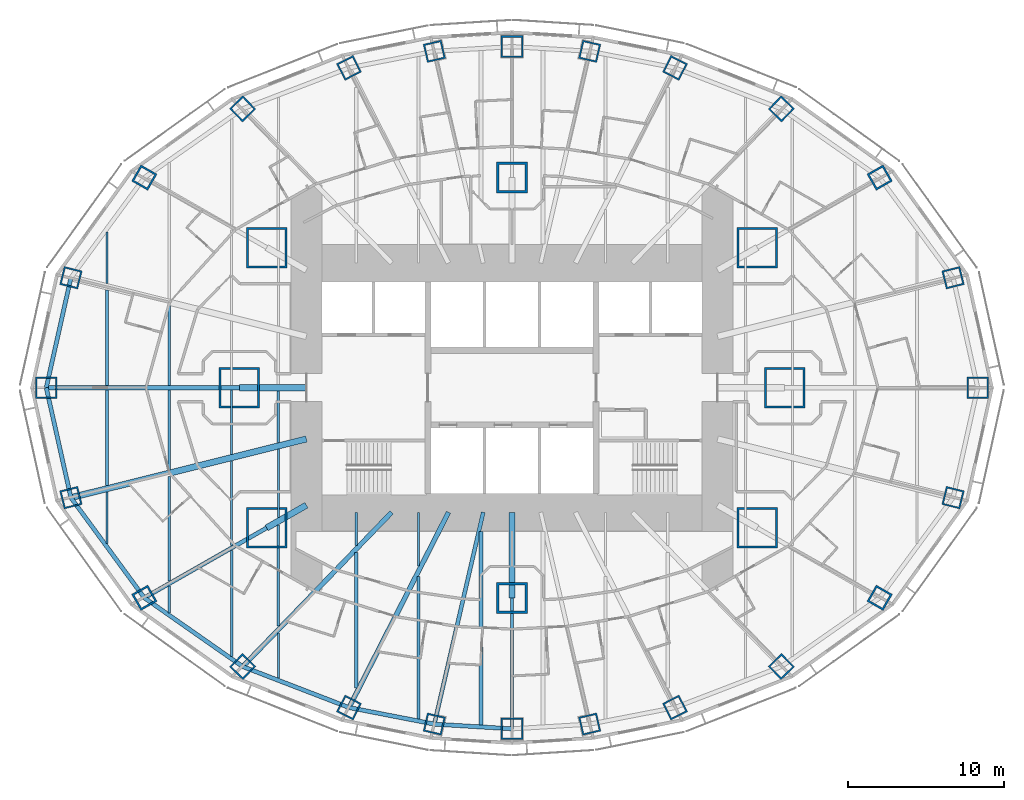
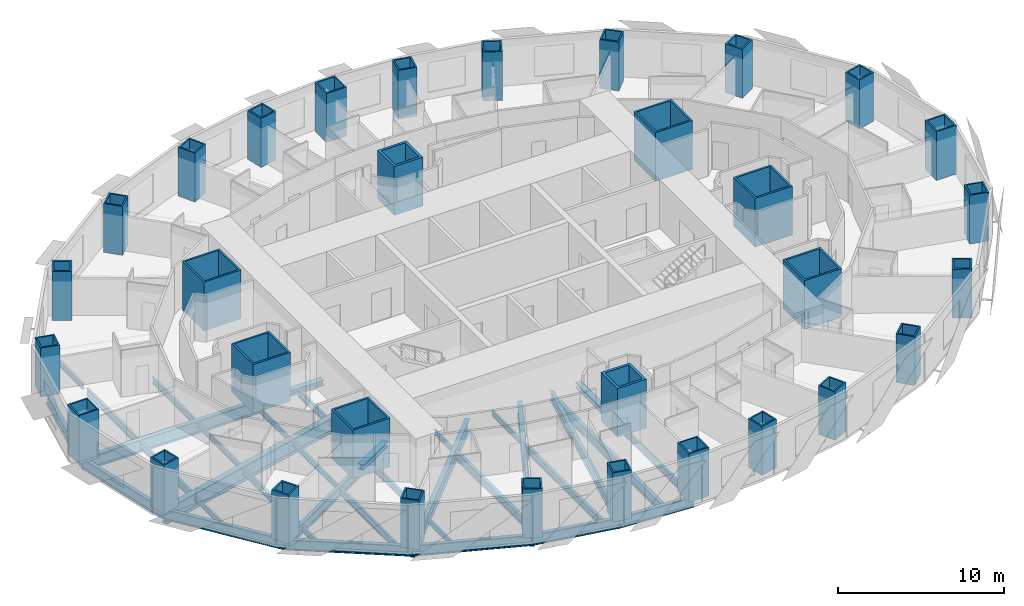
# One storey, part 1 of 17: 37 beams, 32 columns.
"""IFC4 building model written with IfcOpenShell, lengths in metres."""

from ifc_helpers import new_model, si_unit, direction, frame, origin, origin_2d, place, context, subcontext, project, spatial, rectangle, hollow_rectangle, i_section, extrude, material, material_profile, profile_set, type_object, element, save


model = new_model("IFC4")

# Units and contexts
model_context = context("Model", 3, precision=1e-05, world=origin(), true_north=direction((0.0, 1.0)))
body_context = subcontext(model_context, "Body", "Model", "MODEL_VIEW")
ifc_project = project(units=[si_unit("LENGTHUNIT", "METRE"), si_unit("AREAUNIT", "SQUARE_METRE"), si_unit("VOLUMEUNIT", "CUBIC_METRE"), si_unit("PLANEANGLEUNIT", "RADIAN"), si_unit("MASSUNIT", "GRAM", prefix="KILO")], contexts=[model_context])

# Site, building, storey
site_placement = place(None, origin())
site = spatial("IfcSite", under=ifc_project, at=site_placement, CompositionType="ELEMENT")
building_placement = place(site_placement, origin())
building = spatial("IfcBuilding", under=site, at=building_placement, Name="Lantaw Convention Tower", CompositionType="ELEMENT")
storey_placement = place(building_placement, frame((0.0, 0.0, 37.0)))
storey = spatial("IfcBuildingStorey", under=building, at=storey_placement, Name="L06", CompositionType="ELEMENT", Elevation=37.0)

# Columns
ifc_material_1 = material(Name="Steel EN 10025-3 S460N", Category="steel")
ifc_material_profile_1 = material_profile(ifc_material_1, hollow_rectangle(XDim=2.0, YDim=2.0, WallThickness=0.169921875, at=origin_2d()), Name="BOX2000X170")
ifc_material_2 = material(Name="Concrete C60/75", Category="concrete")
ifc_material_profile_2 = material_profile(ifc_material_2, rectangle(XDim=1.659912109375, YDim=1.659912109375, at=origin_2d()), Name="Concrete fill of BOX2000X170")
ifc_profile_set_1 = profile_set([ifc_material_profile_1, ifc_material_profile_2], Name="Steel EN 10025-3 S460N")
column_type_1 = type_object("IfcColumnType", Name="Column MC BOX2000X170", PredefinedType="COLUMN", material=ifc_profile_set_1)
for number, where, z_axis, x_axis, name in (
    (1, (0.0, 13.5, 0.0), (0.0, 0.0, 1.0), (1.0, 0.0, 0.0), "Mega column M3"),
    (2, (0.0, -13.5, 0.0), (0.0, 0.0, 1.0), (1.0, 0.0, 0.0), "Mega column M7"),
):
    element("IfcColumn", number, at=place(storey_placement, frame(where, z_axis=z_axis, x_axis=x_axis)), inside=storey, type_object=column_type_1, Name=name, PredefinedType="COLUMN", context=body_context, shape_type="SweptSolid", body=[
        extrude(hollow_rectangle(XDim=2.0, YDim=2.0, WallThickness=0.169921875, at=origin_2d()), origin(), (0.0, 0.0, 1.0), 3.60009765625),
    ])
ifc_material_profile_3 = material_profile(ifc_material_1, hollow_rectangle(XDim=2.60009765625, YDim=2.60009765625, WallThickness=0.1298828125, at=origin_2d()), Name="BOX2600X130")
ifc_material_profile_4 = material_profile(ifc_material_2, rectangle(XDim=2.340087890625, YDim=2.340087890625, at=origin_2d()), Name="Concrete fill of BOX2600X130")
ifc_profile_set_2 = profile_set([ifc_material_profile_3, ifc_material_profile_4], Name="Steel EN 10025-3 S460N")
column_type_2 = type_object("IfcColumnType", Name="Column MC BOX2600X130", PredefinedType="COLUMN", material=ifc_profile_set_2)
for number, where, z_axis, x_axis, name in (
    (3, (17.5, 0.0, 0.0), (0.0, 0.0, 1.0), (1.0, 0.0, 0.0), "Mega column M1"),
    (4, (15.75, 9.0, 0.0), (0.0, 0.0, 1.0), (1.0, 0.0, 0.0), "Mega column M2"),
    (5, (-15.75, 9.0, 0.0), (0.0, 0.0, 1.0), (1.0, 0.0, 0.0), "Mega column M4"),
    (6, (-17.5, 0.0, 0.0), (0.0, 0.0, 1.0), (1.0, 0.0, 0.0), "Mega column M5"),
    (7, (-15.75, -9.0, 0.0), (0.0, 0.0, 1.0), (1.0, 0.0, 0.0), "Mega column M6"),
    (8, (15.75, -9.0, 0.0), (0.0, 0.0, 1.0), (1.0, 0.0, 0.0), "Mega column M8"),
):
    element("IfcColumn", number, at=place(storey_placement, frame(where, z_axis=z_axis, x_axis=x_axis)), inside=storey, type_object=column_type_2, Name=name, PredefinedType="COLUMN", context=body_context, shape_type="SweptSolid", body=[
        extrude(hollow_rectangle(XDim=2.60009765625, YDim=2.60009765625, WallThickness=0.1298828125, at=origin_2d()), origin(), (0.0, 0.0, 1.0), 3.60009765625),
    ])
ifc_material_profile_5 = material_profile(ifc_material_1, hollow_rectangle(XDim=1.199951171875, YDim=1.199951171875, WallThickness=0.10009765625, at=origin_2d()), Name="BOX1200X100")
ifc_material_profile_6 = material_profile(ifc_material_2, rectangle(XDim=1.0, YDim=1.0, at=origin_2d()), Name="Concrete fill of BOX1200X100")
ifc_profile_set_3 = profile_set([ifc_material_profile_5, ifc_material_profile_6], Name="Steel EN 10025-3 S460N")
column_type_3 = type_object("IfcColumnType", Name="Column PC BOX1200X100", PredefinedType="COLUMN", material=ifc_profile_set_3)
for number, where, z_axis, x_axis, name in (
    (9, (28.31787109375, 7.060302734375, 0.0), (0.0, 0.0, 1.0), (0.970295726276, 0.2419218956, 0.0), "Perimeter column P2"),
    (10, (17.290771484375, 17.9052734375, 0.0), (0.0, 0.0, 1.0), (0.694658370459, 0.719339800339, 0.0), "Perimeter column P4"),
    (11, (10.462646484375, 20.533935546875, 0.0), (0.0, 0.0, 1.0), (0.45399049974, 0.891006524188, 0.0), "Perimeter column P5"),
    (12, (4.986328125, 21.59814453125, 0.0), (0.0, 0.0, 1.0), (0.224951054344, 0.974370064785, 0.0), "Perimeter column P6"),
    (13, (-4.986328125, 21.59814453125, 0.0), (0.0, 0.0, 1.0), (0.974370064785, 0.224951054344, 0.0), "Perimeter column P8"),
    (14, (-10.462646484375, 20.533935546875, 0.0), (0.0, 0.0, 1.0), (0.891006524188, 0.45399049974, 0.0), "Perimeter column P9"),
    (15, (-17.290771484375, 17.9052734375, 0.0), (0.0, 0.0, 1.0), (0.719339800339, 0.694658370459, 0.0), "Perimeter column P10"),
    (16, (-28.31787109375, 7.060302734375, 0.0), (0.0, 0.0, 1.0), (0.2419218956, 0.970295726276, 0.0), "Perimeter column P12"),
    (17, (-28.31787109375, -7.060302734375, 0.0), (0.0, 0.0, 1.0), (0.970295726276, 0.2419218956, 0.0), "Perimeter column P14"),
    (18, (-17.290771484375, -17.9052734375, 0.0), (0.0, 0.0, 1.0), (0.694658370459, 0.719339800339, 0.0), "Perimeter column P16"),
    (19, (-10.462646484375, -20.533935546875, 0.0), (0.0, 0.0, 1.0), (0.45399049974, 0.891006524188, 0.0), "Perimeter column P17"),
    (20, (-4.986328125, -21.59814453125, 0.0), (0.0, 0.0, 1.0), (0.224951054344, 0.974370064785, 0.0), "Perimeter column P18"),
    (21, (4.986328125, -21.59814453125, 0.0), (0.0, 0.0, 1.0), (0.974370064785, 0.224951054344, 0.0), "Perimeter column P20"),
    (22, (10.462646484375, -20.533935546875, 0.0), (0.0, 0.0, 1.0), (0.891006524188, 0.45399049974, 0.0), "Perimeter column P21"),
    (23, (17.290771484375, -17.9052734375, 0.0), (0.0, 0.0, 1.0), (0.719339800339, 0.694658370459, 0.0), "Perimeter column P22"),
    (24, (28.31787109375, -7.060302734375, 0.0), (0.0, 0.0, 1.0), (0.2419218956, 0.970295726276, 0.0), "Perimeter column P24"),
):
    element("IfcColumn", number, at=place(storey_placement, frame(where, z_axis=z_axis, x_axis=x_axis)), inside=storey, type_object=column_type_3, Name=name, PredefinedType="COLUMN", context=body_context, shape_type="SweptSolid", body=[
        extrude(hollow_rectangle(XDim=1.199951171875, YDim=1.199951171875, WallThickness=0.10009765625, at=origin_2d()), origin(), (0.0, 0.0, 1.0), 3.60009765625),
    ])
ifc_material_profile_7 = material_profile(ifc_material_1, hollow_rectangle(XDim=1.199951171875, YDim=1.199951171875, WallThickness=0.1201171875, at=origin_2d()), Name="BOX1200X120")
ifc_material_profile_8 = material_profile(ifc_material_2, rectangle(XDim=0.9599609375, YDim=0.9599609375, at=origin_2d()), Name="Concrete fill of BOX1200X120")
ifc_profile_set_4 = profile_set([ifc_material_profile_7, ifc_material_profile_8], Name="Steel EN 10025-3 S460N")
column_type_4 = type_object("IfcColumnType", Name="Column PC BOX1200X120", PredefinedType="COLUMN", material=ifc_profile_set_4)
for number, where, z_axis, x_axis, name in (
    (25, (23.60498046875, 13.488525390625, 0.0), (0.0, 0.0, 1.0), (0.86824298017, 0.496139221777, 0.0), "Perimeter column P3"),
    (26, (-23.60498046875, 13.488525390625, 0.0), (0.0, 0.0, 1.0), (0.496139221777, 0.86824298017, 0.0), "Perimeter column P11"),
    (27, (-23.60498046875, -13.488525390625, 0.0), (0.0, 0.0, 1.0), (0.86824298017, 0.496139221777, 0.0), "Perimeter column P15"),
    (28, (23.60498046875, -13.488525390625, 0.0), (0.0, 0.0, 1.0), (0.496139221777, 0.86824298017, 0.0), "Perimeter column P23"),
):
    element("IfcColumn", number, at=place(storey_placement, frame(where, z_axis=z_axis, x_axis=x_axis)), inside=storey, type_object=column_type_4, Name=name, PredefinedType="COLUMN", context=body_context, shape_type="SweptSolid", body=[
        extrude(hollow_rectangle(XDim=1.199951171875, YDim=1.199951171875, WallThickness=0.1201171875, at=origin_2d()), origin(), (0.0, 0.0, 1.0), 3.60009765625),
    ])
ifc_material_profile_9 = material_profile(ifc_material_1, hollow_rectangle(XDim=1.39990234375, YDim=1.39990234375, WallThickness=0.10009765625, at=origin_2d()), Name="BOX1400X100")
ifc_material_profile_10 = material_profile(ifc_material_2, rectangle(XDim=1.199951171875, YDim=1.199951171875, at=origin_2d()), Name="Concrete fill of BOX1400X100")
ifc_profile_set_5 = profile_set([ifc_material_profile_9, ifc_material_profile_10], Name="Steel EN 10025-3 S460N")
column_type_5 = type_object("IfcColumnType", Name="Column PC BOX1400X100", PredefinedType="COLUMN", material=ifc_profile_set_5)
for number, where, z_axis, x_axis, name in (
    (29, (29.89990234375, 0.0, 0.0), (0.0, 0.0, 1.0), (1.0, 0.0, 0.0), "Perimeter column P1"),
    (30, (0.0, 21.89990234375, 0.0), (0.0, 0.0, 1.0), (1.0, 0.0, 0.0), "Perimeter column P7"),
    (31, (-29.89990234375, 0.0, 0.0), (0.0, 0.0, 1.0), (1.0, 0.0, 0.0), "Perimeter column P13"),
    (32, (0.0, -21.89990234375, 0.0), (0.0, 0.0, 1.0), (1.0, 0.0, 0.0), "Perimeter column P19"),
):
    element("IfcColumn", number, at=place(storey_placement, frame(where, z_axis=z_axis, x_axis=x_axis)), inside=storey, type_object=column_type_5, Name=name, PredefinedType="COLUMN", context=body_context, shape_type="SweptSolid", body=[
        extrude(hollow_rectangle(XDim=1.39990234375, YDim=1.39990234375, WallThickness=0.10009765625, at=origin_2d()), origin(), (0.0, 0.0, 1.0), 3.60009765625),
    ])

# Beams
ifc_material_3 = material(Name="Steel ASTM A992", Category="steel")
ifc_material_profile_11 = material_profile(ifc_material_3, i_section(OverallWidth=0.2666015625, OverallDepth=0.76953125, WebThickness=0.015625, FlangeThickness=0.025390625, FilletRadius=0.0126953125, at=origin_2d()), Name="W30X132")
ifc_profile_set_6 = profile_set([ifc_material_profile_11], Name="Steel ASTM A992")
beam_type_1 = type_object("IfcBeamType", Name="Beam E W30X132", PredefinedType="SPANDREL", material=ifc_profile_set_6)
for number, where, z_axis, x_axis, name in (
    (33, (-28.31787109375, 7.060302734375, -0.534912109375), (-0.218652184873, -0.975802860239, 0.0), (0.975802860239, -0.218652184873, 0.0), "Edge beam 12"),
    (34, (-29.89990234375, 0.0, -0.534912109375), (0.218652184873, -0.975802860239, 0.0), (0.975802860239, 0.218652184873, 0.0), "Edge beam 13"),
):
    element("IfcBeam", number, at=place(storey_placement, frame(where, z_axis=z_axis, x_axis=x_axis)), inside=storey, type_object=beam_type_1, Name=name, PredefinedType="SPANDREL", context=body_context, shape_type="SweptSolid", body=[
        extrude(i_section(OverallWidth=0.2666015625, OverallDepth=0.76953125, WebThickness=0.015625, FlangeThickness=0.025390625, FilletRadius=0.0126953125, at=origin_2d()), origin(), (0.0, 0.0, 1.0), 7.2353515625),
    ])
beam_1_placement = place(storey_placement, frame((-28.31787109375, -7.060302734375, -0.534912109375), z_axis=(0.591270709086, -0.806473154281, 0.0), x_axis=(0.806473154281, 0.591270709086, 0.0)))
element("IfcBeam", 35, at=beam_1_placement, inside=storey, type_object=beam_type_1, Name="Edge beam 14", PredefinedType="SPANDREL", context=body_context, shape_type="SweptSolid", body=[
    extrude(i_section(OverallWidth=0.2666015625, OverallDepth=0.76953125, WebThickness=0.015625, FlangeThickness=0.025390625, FilletRadius=0.0126953125, at=origin_2d()), origin(), (0.0, 0.0, 1.0), 7.970703125),
])
beam_2_placement = place(storey_placement, frame((-23.60498046875, -13.488525390625, -0.534912109375), z_axis=(0.81942686407, -0.57318375277, 0.0), x_axis=(0.57318375277, 0.81942686407, 0.0)))
element("IfcBeam", 36, at=beam_2_placement, inside=storey, type_object=beam_type_1, Name="Edge beam 15", PredefinedType="SPANDREL", context=body_context, shape_type="SweptSolid", body=[
    extrude(i_section(OverallWidth=0.2666015625, OverallDepth=0.76953125, WebThickness=0.015625, FlangeThickness=0.025390625, FilletRadius=0.0126953125, at=origin_2d()), origin(), (0.0, 0.0, 1.0), 7.70556640625),
])
beam_3_placement = place(storey_placement, frame((-17.290771484375, -17.9052734375, -0.534912109375), z_axis=(0.933232900641, -0.359271976588, 0.0), x_axis=(0.359271976588, 0.933232900641, 0.0)))
element("IfcBeam", 37, at=beam_3_placement, inside=storey, type_object=beam_type_1, Name="Edge beam 16", PredefinedType="SPANDREL", context=body_context, shape_type="SweptSolid", body=[
    extrude(i_section(OverallWidth=0.2666015625, OverallDepth=0.76953125, WebThickness=0.015625, FlangeThickness=0.025390625, FilletRadius=0.0126953125, at=origin_2d()), origin(), (0.0, 0.0, 1.0), 7.316650390625),
])
beam_4_placement = place(storey_placement, frame((-10.462646484375, -20.533935546875, -0.534912109375), z_axis=(0.981636565323, -0.190760723474, 0.0), x_axis=(0.190760723474, 0.981636565323, 0.0)))
element("IfcBeam", 38, at=beam_4_placement, inside=storey, type_object=beam_type_1, Name="Edge beam 17", PredefinedType="SPANDREL", context=body_context, shape_type="SweptSolid", body=[
    extrude(i_section(OverallWidth=0.2666015625, OverallDepth=0.76953125, WebThickness=0.015625, FlangeThickness=0.025390625, FilletRadius=0.0126953125, at=origin_2d()), origin(), (0.0, 0.0, 1.0), 5.578857421875),
])
beam_5_placement = place(storey_placement, frame((-4.986328125, -21.59814453125, -0.534912109375), z_axis=(0.998173858406, -0.060406526096, 0.0), x_axis=(0.060406526096, 0.998173858406, 0.0)))
element("IfcBeam", 39, at=beam_5_placement, inside=storey, type_object=beam_type_1, Name="Edge beam 18", PredefinedType="SPANDREL", context=body_context, shape_type="SweptSolid", body=[
    extrude(i_section(OverallWidth=0.2666015625, OverallDepth=0.76953125, WebThickness=0.015625, FlangeThickness=0.025390625, FilletRadius=0.0126953125, at=origin_2d()), origin(), (0.0, 0.0, 1.0), 4.995361328125),
])
ifc_material_profile_12 = material_profile(ifc_material_3, i_section(OverallWidth=0.1650390625, OverallDepth=0.52587890625, WebThickness=0.0087890625, FlangeThickness=0.011474609375, FilletRadius=0.0126953125, at=origin_2d()), Name="W21X44")
ifc_profile_set_7 = profile_set([ifc_material_profile_12], Name="Steel ASTM A992")
beam_type_2 = type_object("IfcBeamType", Name="Beam G W21X44", PredefinedType="BEAM", material=ifc_profile_set_7)
beam_6_placement = place(storey_placement, frame((0.0, -13.5, -0.412841796875), z_axis=(0.0, -1.0, 0.0), x_axis=(1.0, 0.0, 0.0)))
element("IfcBeam", 40, at=beam_6_placement, inside=storey, type_object=beam_type_2, Name="Floor girder on ray 19", PredefinedType="BEAM", context=body_context, shape_type="SweptSolid", body=[
    extrude(i_section(OverallWidth=0.1650390625, OverallDepth=0.52587890625, WebThickness=0.0087890625, FlangeThickness=0.011474609375, FilletRadius=0.0126953125, at=origin_2d()), origin(), (0.0, 0.0, 1.0), 8.39990234375),
])
ifc_material_profile_13 = material_profile(ifc_material_3, i_section(OverallWidth=0.25390625, OverallDepth=0.683349609375, WebThickness=0.012451171875, FlangeThickness=0.01904296875, FilletRadius=0.01513671875, at=origin_2d()), Name="W27X94")
ifc_profile_set_8 = profile_set([ifc_material_profile_13], Name="Steel ASTM A992")
beam_type_3 = type_object("IfcBeamType", Name="Beam G W27X94", PredefinedType="BEAM", material=ifc_profile_set_8)
beam_7_placement = place(storey_placement, frame((-1.846923828125, -8.0, -0.49169921875), z_axis=(-0.224952773175, -0.97436966796, 0.0), x_axis=(0.97436966796, -0.224952773175, 0.0)))
element("IfcBeam", 41, at=beam_7_placement, inside=storey, type_object=beam_type_3, Name="Floor girder on ray 18", PredefinedType="BEAM", context=body_context, shape_type="SweptSolid", body=[
    extrude(i_section(OverallWidth=0.25390625, OverallDepth=0.683349609375, WebThickness=0.012451171875, FlangeThickness=0.01904296875, FilletRadius=0.01513671875, at=origin_2d()), origin(), (0.0, 0.0, 1.0), 13.955810546875),
])
ifc_material_profile_14 = material_profile(ifc_material_3, i_section(OverallWidth=0.2666015625, OverallDepth=0.7568359375, WebThickness=0.013916015625, FlangeThickness=0.019287109375, FilletRadius=0.0126953125, at=origin_2d()), Name="W30X108")
ifc_profile_set_9 = profile_set([ifc_material_profile_14], Name="Steel ASTM A992")
beam_type_4 = type_object("IfcBeamType", Name="Beam G W30X108", PredefinedType="BEAM", material=ifc_profile_set_9)
beam_8_placement = place(storey_placement, frame((-15.75, -9.0, -0.528564453125), z_axis=(-0.868244802791, -0.496136032179, 0.0), x_axis=(0.496136032179, -0.868244802791, 0.0)))
element("IfcBeam", 42, at=beam_8_placement, inside=storey, type_object=beam_type_4, Name="Floor girder on ray 15", PredefinedType="BEAM", context=body_context, shape_type="SweptSolid", body=[
    extrude(i_section(OverallWidth=0.2666015625, OverallDepth=0.7568359375, WebThickness=0.013916015625, FlangeThickness=0.019287109375, FilletRadius=0.0126953125, at=origin_2d()), origin(), (0.0, 0.0, 1.0), 9.046875),
])
ifc_material_profile_15 = material_profile(ifc_material_3, i_section(OverallWidth=0.307373046875, OverallDepth=0.922119140625, WebThickness=0.018310546875, FlangeThickness=0.030029296875, FilletRadius=0.0126953125, at=origin_2d()), Name="W36X182")
ifc_profile_set_10 = profile_set([ifc_material_profile_15], Name="Steel ASTM A992")
beam_type_5 = type_object("IfcBeamType", Name="Beam G W36X182", PredefinedType="BEAM", material=ifc_profile_set_10)
beam_9_placement = place(storey_placement, frame((-17.5, 0.0, -0.611083984375), z_axis=(-1.0, 0.0, 0.0), x_axis=(0.0, -1.0, 0.0)))
element("IfcBeam", 43, at=beam_9_placement, inside=storey, type_object=beam_type_5, Name="Floor girder on ray 13", PredefinedType="BEAM", context=body_context, shape_type="SweptSolid", body=[
    extrude(i_section(OverallWidth=0.307373046875, OverallDepth=0.922119140625, WebThickness=0.018310546875, FlangeThickness=0.030029296875, FilletRadius=0.0126953125, at=origin_2d()), origin(), (0.0, 0.0, 1.0), 12.39990234375),
])
beam_10_placement = place(storey_placement, frame((-7.7255859375, -8.0, -0.611083984375), z_axis=(-0.694649884291, -0.719347995239, 0.0), x_axis=(0.719347995239, -0.694649884291, 0.0)))
element("IfcBeam", 44, at=beam_10_placement, inside=storey, type_object=beam_type_5, Name="Floor girder on ray 16", PredefinedType="BEAM", context=body_context, shape_type="SweptSolid", body=[
    extrude(i_section(OverallWidth=0.307373046875, OverallDepth=0.922119140625, WebThickness=0.018310546875, FlangeThickness=0.030029296875, FilletRadius=0.0126953125, at=origin_2d()), origin(), (0.0, 0.0, 1.0), 13.769775390625),
])
beam_11_placement = place(storey_placement, frame((-4.076171875, -8.0, -0.611083984375), z_axis=(-0.453997016122, -0.891003203896, 0.0), x_axis=(0.891003203896, -0.453997016122, 0.0)))
element("IfcBeam", 45, at=beam_11_placement, inside=storey, type_object=beam_type_5, Name="Floor girder on ray 17", PredefinedType="BEAM", context=body_context, shape_type="SweptSolid", body=[
    extrude(i_section(OverallWidth=0.307373046875, OverallDepth=0.922119140625, WebThickness=0.018310546875, FlangeThickness=0.030029296875, FilletRadius=0.0126953125, at=origin_2d()), origin(), (0.0, 0.0, 1.0), 14.067138671875),
])
ifc_material_profile_16 = material_profile(ifc_material_3, i_section(OverallWidth=0.40380859375, OverallDepth=1.11767578125, WebThickness=0.026123046875, FlangeThickness=0.044921875, FilletRadius=0.02001953125, at=origin_2d()), Name="W44X335")
ifc_profile_set_11 = profile_set([ifc_material_profile_16], Name="Steel ASTM A992")
beam_type_6 = type_object("IfcBeamType", Name="Beam G W44X335", PredefinedType="BEAM", material=ifc_profile_set_11)
beam_12_placement = place(storey_placement, frame((-13.199951171875, -3.291015625, -0.708740234375), z_axis=(-0.970296233567, -0.241919860957, 0.0), x_axis=(0.241919860957, -0.970296233567, 0.0)))
element("IfcBeam", 46, at=beam_12_placement, inside=storey, type_object=beam_type_6, Name="Floor girder on ray 14", PredefinedType="BEAM", context=body_context, shape_type="SweptSolid", body=[
    extrude(i_section(OverallWidth=0.40380859375, OverallDepth=1.11767578125, WebThickness=0.026123046875, FlangeThickness=0.044921875, FilletRadius=0.02001953125, at=origin_2d()), origin(), (0.0, 0.0, 1.0), 15.580810546875),
])
ifc_material_profile_17 = material_profile(ifc_material_3, i_section(OverallWidth=0.40380859375, OverallDepth=0.406494140625, WebThickness=0.027099609375, FlangeThickness=0.043701171875, FilletRadius=0.01513671875, at=origin_2d()), Name="W14X233")
ifc_profile_set_12 = profile_set([ifc_material_profile_17], Name="Steel ASTM A992")
beam_type_7 = type_object("IfcBeamType", Name="Beam GM W14X233", PredefinedType="BEAM", material=ifc_profile_set_12)
beam_13_placement = place(storey_placement, frame((-13.199951171875, 0.0, -0.353271484375), z_axis=(-1.0, 0.0, 0.0), x_axis=(0.0, -1.0, 0.0)))
element("IfcBeam", 47, at=beam_13_placement, inside=storey, type_object=beam_type_7, Name="Core link beam on ray 13", PredefinedType="BEAM", context=body_context, shape_type="SweptSolid", body=[
    extrude(i_section(OverallWidth=0.40380859375, OverallDepth=0.406494140625, WebThickness=0.027099609375, FlangeThickness=0.043701171875, FilletRadius=0.01513671875, at=origin_2d()), origin(), (0.0, 0.0, 1.0), 4.300048828125),
])
beam_14_placement = place(storey_placement, frame((-13.199951171875, -7.54296875, -0.353271484375), z_axis=(-0.868263603466, -0.496103129295, 0.0), x_axis=(0.496103129295, -0.868263603466, 0.0)))
element("IfcBeam", 48, at=beam_14_placement, inside=storey, type_object=beam_type_7, Name="Core link beam on ray 15", PredefinedType="BEAM", context=body_context, shape_type="SweptSolid", body=[
    extrude(i_section(OverallWidth=0.40380859375, OverallDepth=0.406494140625, WebThickness=0.027099609375, FlangeThickness=0.043701171875, FilletRadius=0.01513671875, at=origin_2d()), origin(), (0.0, 0.0, 1.0), 2.93701171875),
])
beam_15_placement = place(storey_placement, frame((0.0, -8.0, -0.353271484375), z_axis=(0.0, -1.0, 0.0), x_axis=(1.0, 0.0, 0.0)))
element("IfcBeam", 49, at=beam_15_placement, inside=storey, type_object=beam_type_7, Name="Core link beam on ray 19", PredefinedType="BEAM", context=body_context, shape_type="SweptSolid", body=[
    extrude(i_section(OverallWidth=0.40380859375, OverallDepth=0.406494140625, WebThickness=0.027099609375, FlangeThickness=0.043701171875, FilletRadius=0.01513671875, at=origin_2d()), origin(), (0.0, 0.0, 1.0), 5.5),
])
ifc_material_profile_18 = material_profile(ifc_material_3, i_section(OverallWidth=0.140380859375, OverallDepth=0.40380859375, WebThickness=0.007080078125, FlangeThickness=0.01123046875, FilletRadius=0.01025390625, at=origin_2d()), Name="W16X31")
ifc_profile_set_13 = profile_set([ifc_material_profile_18], Name="Steel ASTM A992")
beam_type_8 = type_object("IfcBeamType", Name="Beam J W16X31", PredefinedType="JOIST", material=ifc_profile_set_13)
for number, where, z_axis, x_axis, name in (
    (50, (-26.0, -9.996337890625, -0.35205078125), (0.0, 1.0, 0.0), (-1.0, 0.0, 0.0), "Floor joist"),
    (51, (-26.0, 6.690673828125, -0.35205078125), (0.0, 1.0, 0.0), (-1.0, 0.0, 0.0), "Floor joist"),
):
    element("IfcBeam", number, at=place(storey_placement, frame(where, z_axis=z_axis, x_axis=x_axis)), inside=storey, type_object=beam_type_8, Name=name, PredefinedType="JOIST", context=body_context, shape_type="SweptSolid", body=[
        extrude(i_section(OverallWidth=0.140380859375, OverallDepth=0.40380859375, WebThickness=0.007080078125, FlangeThickness=0.01123046875, FilletRadius=0.01025390625, at=origin_2d()), origin(), (0.0, 0.0, 1.0), 3.3056640625),
    ])
beam_16_placement = place(storey_placement, frame((-22.0, -14.448486328125, -0.35205078125), z_axis=(0.0, 1.0, 0.0), x_axis=(-1.0, 0.0, 0.0)))
element("IfcBeam", 52, at=beam_16_placement, inside=storey, type_object=beam_type_8, Name="Floor joist", PredefinedType="JOIST", context=body_context, shape_type="SweptSolid", body=[
    extrude(i_section(OverallWidth=0.140380859375, OverallDepth=0.40380859375, WebThickness=0.007080078125, FlangeThickness=0.01123046875, FilletRadius=0.01025390625, at=origin_2d()), origin(), (0.0, 0.0, 1.0), 1.723388671875),
])
beam_17_placement = place(storey_placement, frame((-22.0, -5.277099609375, -0.35205078125), z_axis=(0.0, 1.0, 0.0), x_axis=(-1.0, 0.0, 0.0)))
element("IfcBeam", 53, at=beam_17_placement, inside=storey, type_object=beam_type_8, Name="Floor joist", PredefinedType="JOIST", context=body_context, shape_type="SweptSolid", body=[
    extrude(i_section(OverallWidth=0.140380859375, OverallDepth=0.40380859375, WebThickness=0.007080078125, FlangeThickness=0.01123046875, FilletRadius=0.01025390625, at=origin_2d()), origin(), (0.0, 0.0, 1.0), 5.12353515625),
])
beam_18_placement = place(storey_placement, frame((-18.0, -10.132080078125, -0.35205078125), z_axis=(0.0, 1.0, 0.0), x_axis=(-1.0, 0.0, 0.0)))
element("IfcBeam", 54, at=beam_18_placement, inside=storey, type_object=beam_type_8, Name="Floor joist", PredefinedType="JOIST", context=body_context, shape_type="SweptSolid", body=[
    extrude(i_section(OverallWidth=0.140380859375, OverallDepth=0.40380859375, WebThickness=0.007080078125, FlangeThickness=0.01123046875, FilletRadius=0.01025390625, at=origin_2d()), origin(), (0.0, 0.0, 1.0), 5.43603515625),
])
beam_19_placement = place(storey_placement, frame((-18.0, -4.27978515625, -0.35205078125), z_axis=(0.0, 1.0, 0.0), x_axis=(-1.0, 0.0, 0.0)))
element("IfcBeam", 55, at=beam_19_placement, inside=storey, type_object=beam_type_8, Name="Floor joist", PredefinedType="JOIST", context=body_context, shape_type="SweptSolid", body=[
    extrude(i_section(OverallWidth=0.140380859375, OverallDepth=0.40380859375, WebThickness=0.007080078125, FlangeThickness=0.01123046875, FilletRadius=0.01025390625, at=origin_2d()), origin(), (0.0, 0.0, 1.0), 4.126220703125),
])
beam_20_placement = place(storey_placement, frame((-15.0, -18.644287109375, -0.35205078125), z_axis=(0.0, 1.0, 0.0), x_axis=(-1.0, 0.0, 0.0)))
element("IfcBeam", 56, at=beam_20_placement, inside=storey, type_object=beam_type_8, Name="Floor joist", PredefinedType="JOIST", context=body_context, shape_type="SweptSolid", body=[
    extrude(i_section(OverallWidth=0.140380859375, OverallDepth=0.40380859375, WebThickness=0.007080078125, FlangeThickness=0.01123046875, FilletRadius=0.01025390625, at=origin_2d()), origin(), (0.0, 0.0, 1.0), 2.89013671875),
])
beam_21_placement = place(storey_placement, frame((-15.0, -8.3388671875, -0.35205078125), z_axis=(0.0, 1.0, 0.0), x_axis=(-1.0, 0.0, 0.0)))
element("IfcBeam", 57, at=beam_21_placement, inside=storey, type_object=beam_type_8, Name="Floor joist", PredefinedType="JOIST", context=body_context, shape_type="SweptSolid", body=[
    extrude(i_section(OverallWidth=0.140380859375, OverallDepth=0.40380859375, WebThickness=0.007080078125, FlangeThickness=0.01123046875, FilletRadius=0.01025390625, at=origin_2d()), origin(), (0.0, 0.0, 1.0), 4.390869140625),
])
beam_22_placement = place(storey_placement, frame((-10.0, -10.134033203125, -0.35205078125), z_axis=(0.0, 1.0, 0.0), x_axis=(-1.0, 0.0, 0.0)))
element("IfcBeam", 58, at=beam_22_placement, inside=storey, type_object=beam_type_8, Name="Floor joist", PredefinedType="JOIST", context=body_context, shape_type="SweptSolid", body=[
    extrude(i_section(OverallWidth=0.140380859375, OverallDepth=0.40380859375, WebThickness=0.007080078125, FlangeThickness=0.01123046875, FilletRadius=0.01025390625, at=origin_2d()), origin(), (0.0, 0.0, 1.0), 2.134033203125),
])
beam_23_placement = place(storey_placement, frame((-6.0, -11.437255859375, -0.35205078125), z_axis=(0.0, 1.0, 0.0), x_axis=(-1.0, 0.0, 0.0)))
element("IfcBeam", 59, at=beam_23_placement, inside=storey, type_object=beam_type_8, Name="Floor joist", PredefinedType="JOIST", context=body_context, shape_type="SweptSolid", body=[
    extrude(i_section(OverallWidth=0.140380859375, OverallDepth=0.40380859375, WebThickness=0.007080078125, FlangeThickness=0.01123046875, FilletRadius=0.01025390625, at=origin_2d()), origin(), (0.0, 0.0, 1.0), 3.437255859375),
])
ifc_material_profile_19 = material_profile(ifc_material_3, i_section(OverallWidth=0.15234375, OverallDepth=0.449462890625, WebThickness=0.007568359375, FlangeThickness=0.0107421875, FilletRadius=0.01025390625, at=origin_2d()), Name="W18X35")
ifc_profile_set_14 = profile_set([ifc_material_profile_19], Name="Steel ASTM A992")
beam_type_9 = type_object("IfcBeamType", Name="Beam J W18X35", PredefinedType="JOIST", material=ifc_profile_set_14)
beam_24_placement = place(storey_placement, frame((-22.0, 0.153564453125, -0.374755859375), z_axis=(0.0, 1.0, 0.0), x_axis=(-1.0, 0.0, 0.0)))
element("IfcBeam", 60, at=beam_24_placement, inside=storey, type_object=beam_type_9, Name="Floor joist", PredefinedType="JOIST", context=body_context, shape_type="SweptSolid", body=[
    extrude(i_section(OverallWidth=0.15234375, OverallDepth=0.449462890625, WebThickness=0.007568359375, FlangeThickness=0.0107421875, FilletRadius=0.01025390625, at=origin_2d()), origin(), (0.0, 0.0, 1.0), 5.12353515625),
])
ifc_material_profile_20 = material_profile(ifc_material_3, i_section(OverallWidth=0.1650390625, OverallDepth=0.52587890625, WebThickness=0.0087890625, FlangeThickness=0.011474609375, FilletRadius=0.0126953125, at=origin_2d()), Name="W21X44")
ifc_profile_set_15 = profile_set([ifc_material_profile_20], Name="Steel ASTM A992")
beam_type_10 = type_object("IfcBeamType", Name="Beam J W21X44", PredefinedType="JOIST", material=ifc_profile_set_15)
beam_25_placement = place(storey_placement, frame((-22.0, -12.41796875, -0.412841796875), z_axis=(0.0, 1.0, 0.0), x_axis=(-1.0, 0.0, 0.0)))
element("IfcBeam", 61, at=beam_25_placement, inside=storey, type_object=beam_type_10, Name="Floor joist", PredefinedType="JOIST", context=body_context, shape_type="SweptSolid", body=[
    extrude(i_section(OverallWidth=0.1650390625, OverallDepth=0.52587890625, WebThickness=0.0087890625, FlangeThickness=0.011474609375, FilletRadius=0.0126953125, at=origin_2d()), origin(), (0.0, 0.0, 1.0), 6.724609375),
])
beam_26_placement = place(storey_placement, frame((-18.0, -17.246337890625, -0.412841796875), z_axis=(0.0, 1.0, 0.0), x_axis=(-1.0, 0.0, 0.0)))
element("IfcBeam", 62, at=beam_26_placement, inside=storey, type_object=beam_type_10, Name="Floor joist", PredefinedType="JOIST", context=body_context, shape_type="SweptSolid", body=[
    extrude(i_section(OverallWidth=0.1650390625, OverallDepth=0.52587890625, WebThickness=0.0087890625, FlangeThickness=0.011474609375, FilletRadius=0.0126953125, at=origin_2d()), origin(), (0.0, 0.0, 1.0), 6.80712890625),
])
beam_27_placement = place(storey_placement, frame((-15.0, -15.311767578125, -0.412841796875), z_axis=(0.0, 1.0, 0.0), x_axis=(-1.0, 0.0, 0.0)))
element("IfcBeam", 63, at=beam_27_placement, inside=storey, type_object=beam_type_10, Name="Floor joist", PredefinedType="JOIST", context=body_context, shape_type="SweptSolid", body=[
    extrude(i_section(OverallWidth=0.1650390625, OverallDepth=0.52587890625, WebThickness=0.0087890625, FlangeThickness=0.011474609375, FilletRadius=0.0126953125, at=origin_2d()), origin(), (0.0, 0.0, 1.0), 6.5078125),
])
ifc_material_profile_21 = material_profile(ifc_material_3, i_section(OverallWidth=0.165771484375, OverallDepth=0.5283203125, WebThickness=0.009765625, FlangeThickness=0.013671875, FilletRadius=0.012939453125, at=origin_2d()), Name="W21X50")
ifc_profile_set_16 = profile_set([ifc_material_profile_21], Name="Steel ASTM A992")
beam_type_11 = type_object("IfcBeamType", Name="Beam J W21X50", PredefinedType="JOIST", material=ifc_profile_set_16)
for number, where, z_axis, x_axis, name in (
    (64, (-26.0, -6.2744140625, -0.4140625), (0.0, 1.0, 0.0), (-1.0, 0.0, 0.0), "Floor joist"),
    (65, (-26.0, 0.153564453125, -0.4140625), (0.0, 1.0, 0.0), (-1.0, 0.0, 0.0), "Floor joist"),
):
    element("IfcBeam", number, at=place(storey_placement, frame(where, z_axis=z_axis, x_axis=x_axis)), inside=storey, type_object=beam_type_11, Name=name, PredefinedType="JOIST", context=body_context, shape_type="SweptSolid", body=[
        extrude(i_section(OverallWidth=0.165771484375, OverallDepth=0.5283203125, WebThickness=0.009765625, FlangeThickness=0.013671875, FilletRadius=0.012939453125, at=origin_2d()), origin(), (0.0, 0.0, 1.0), 6.120849609375),
    ])
beam_28_placement = place(storey_placement, frame((-15.0, -3.53173828125, -0.4140625), z_axis=(0.0, 1.0, 0.0), x_axis=(-1.0, 0.0, 0.0)))
element("IfcBeam", 66, at=beam_28_placement, inside=storey, type_object=beam_type_11, Name="Floor joist", PredefinedType="JOIST", context=body_context, shape_type="SweptSolid", body=[
    extrude(i_section(OverallWidth=0.165771484375, OverallDepth=0.5283203125, WebThickness=0.009765625, FlangeThickness=0.013671875, FilletRadius=0.012939453125, at=origin_2d()), origin(), (0.0, 0.0, 1.0), 3.329833984375),
])
ifc_material_profile_22 = material_profile(ifc_material_3, i_section(OverallWidth=0.2099609375, OverallDepth=0.535888671875, WebThickness=0.010986328125, FlangeThickness=0.017333984375, FilletRadius=0.012939453125, at=origin_2d()), Name="W21X68")
ifc_profile_set_17 = profile_set([ifc_material_profile_22], Name="Steel ASTM A992")
beam_type_12 = type_object("IfcBeamType", Name="Beam J W21X68", PredefinedType="JOIST", material=ifc_profile_set_17)
beam_29_placement = place(storey_placement, frame((-6.0, -21.26513671875, -0.41796875), z_axis=(0.0, 1.0, 0.0), x_axis=(-1.0, 0.0, 0.0)))
element("IfcBeam", 67, at=beam_29_placement, inside=storey, type_object=beam_type_12, Name="Floor joist", PredefinedType="JOIST", context=body_context, shape_type="SweptSolid", body=[
    extrude(i_section(OverallWidth=0.2099609375, OverallDepth=0.535888671875, WebThickness=0.010986328125, FlangeThickness=0.017333984375, FilletRadius=0.012939453125, at=origin_2d()), origin(), (0.0, 0.0, 1.0), 9.15087890625),
])
ifc_material_profile_23 = material_profile(ifc_material_3, i_section(OverallWidth=0.227783203125, OverallDepth=0.60205078125, WebThickness=0.010498046875, FlangeThickness=0.014892578125, FilletRadius=0.012939453125, at=origin_2d()), Name="W24X68")
ifc_profile_set_18 = profile_set([ifc_material_profile_23], Name="Steel ASTM A992")
beam_type_13 = type_object("IfcBeamType", Name="Beam J W24X68", PredefinedType="JOIST", material=ifc_profile_set_18)
beam_30_placement = place(storey_placement, frame((-10.0, -19.28759765625, -0.450927734375), z_axis=(0.0, 1.0, 0.0), x_axis=(-1.0, 0.0, 0.0)))
element("IfcBeam", 68, at=beam_30_placement, inside=storey, type_object=beam_type_13, Name="Floor joist", PredefinedType="JOIST", context=body_context, shape_type="SweptSolid", body=[
    extrude(i_section(OverallWidth=0.227783203125, OverallDepth=0.60205078125, WebThickness=0.010498046875, FlangeThickness=0.014892578125, FilletRadius=0.012939453125, at=origin_2d()), origin(), (0.0, 0.0, 1.0), 8.711181640625),
])
ifc_material_profile_24 = material_profile(ifc_material_3, i_section(OverallWidth=0.25390625, OverallDepth=0.700927734375, WebThickness=0.015380859375, FlangeThickness=0.02783203125, FilletRadius=0.01513671875, at=origin_2d()), Name="W27X129")
ifc_profile_set_19 = profile_set([ifc_material_profile_24], Name="Steel ASTM A992")
beam_type_14 = type_object("IfcBeamType", Name="Beam J W27X129", PredefinedType="JOIST", material=ifc_profile_set_19)
beam_31_placement = place(storey_placement, frame((-2.0, -21.645263671875, -0.50048828125), z_axis=(0.0, 1.0, 0.0), x_axis=(-1.0, 0.0, 0.0)))
element("IfcBeam", 69, at=beam_31_placement, inside=storey, type_object=beam_type_14, Name="Floor joist", PredefinedType="JOIST", context=body_context, shape_type="SweptSolid", body=[
    extrude(i_section(OverallWidth=0.25390625, OverallDepth=0.700927734375, WebThickness=0.015380859375, FlangeThickness=0.02783203125, FilletRadius=0.01513671875, at=origin_2d()), origin(), (0.0, 0.0, 1.0), 12.417724609375),
])

save(model, "model.ifc")
